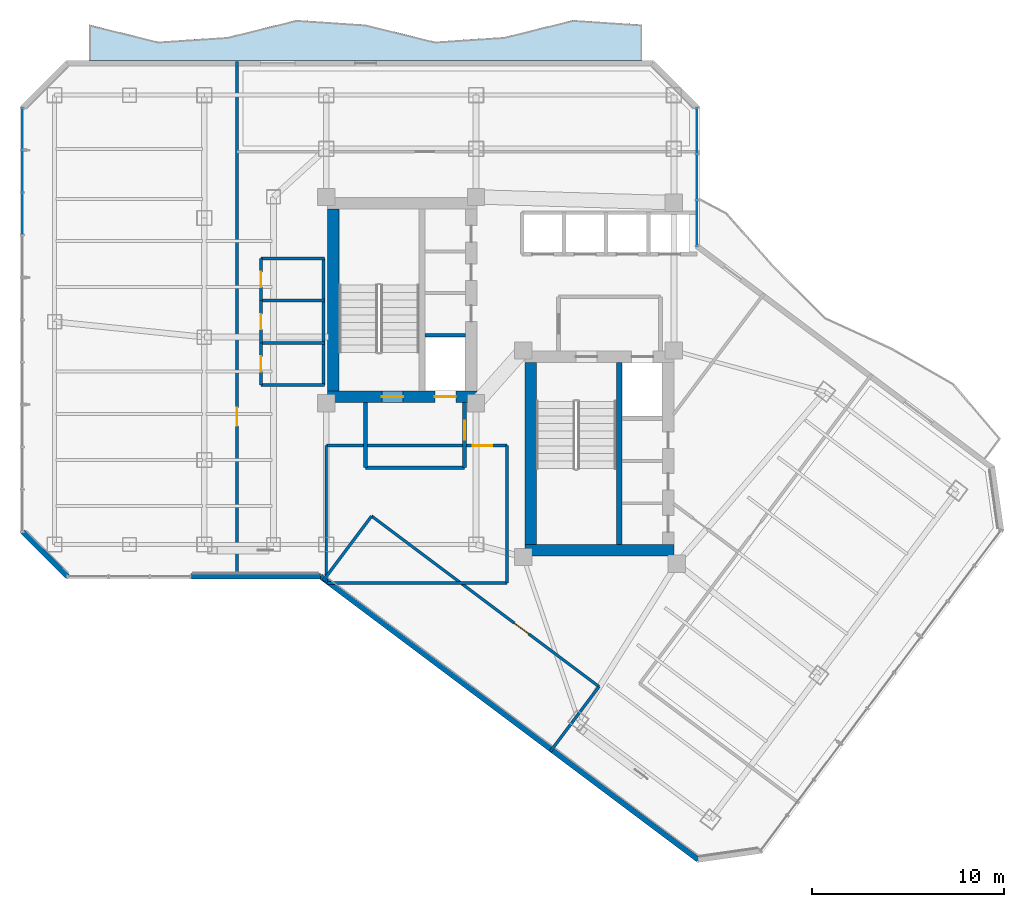
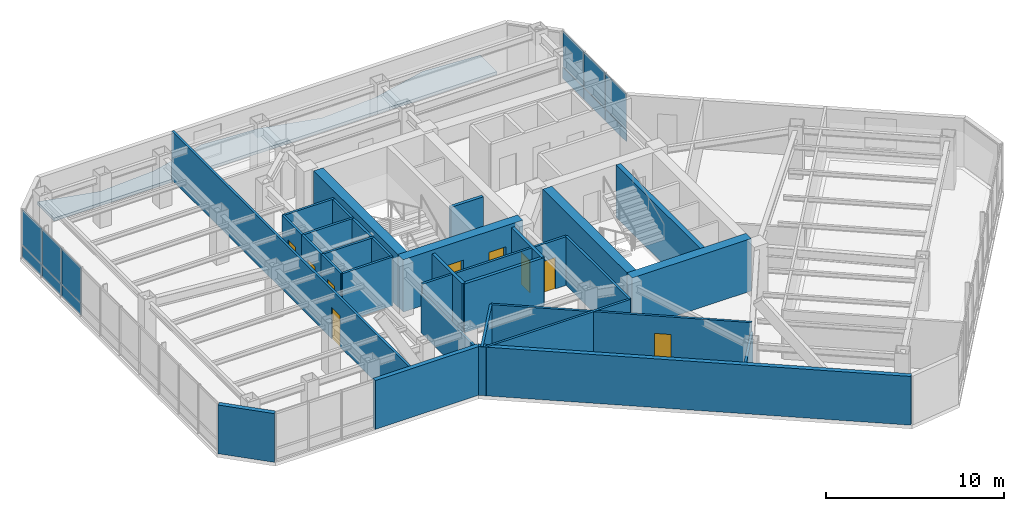
# One storey, part 22 of 28: 28 walls, 12 plates, 9 doors, 1 slab, 9 openings, 2 elements without a shape of their own.
"""IFC4 building model written with IfcOpenShell, lengths in metres."""

import ifcopenshell
import ifcopenshell.guid

model = None  # the IFC model being written
_history = None  # IfcOwnerHistory: only IFC2X3 demands one
_inside = {}  # id of a spatial element -> (the spatial element, [elements in it])
_under = {}  # id of a project, library or spatial element -> (it, [spatial elements below it])
_declared = {}  # id of a project -> (the project, [libraries it declares])
_typed = {}  # id of a type object -> (the type object, [elements of that type])
_made_of = {}  # id of a material, layer set ... -> (it, [elements and type objects made of it])


def new_model(schema):
    """Start an empty IFC model of exactly this schema.

    Asked for "IFC4X3", IfcOpenShell would pick the latest addendum, in which some entities
    have other attributes; the version numbers below select the first issue.
    IFC2X3 requires an IfcOwnerHistory on every rooted entity: one is made here for all.
    """
    global model, _history
    if schema == "IFC4X3":
        model = ifcopenshell.file(schema_version=(4, 3, 0, 0))
    else:
        model = ifcopenshell.file(schema=schema)
    _inside.clear()
    _under.clear()
    _declared.clear()
    _typed.clear()
    _made_of.clear()
    _history = None
    if model.schema == "IFC2X3":
        org = make("IfcOrganization", Name="unknown")
        user = make(
            "IfcPersonAndOrganization",
            ThePerson=make("IfcPerson", FamilyName="unknown"),
            TheOrganization=org,
        )
        app = make(
            "IfcApplication",
            ApplicationDeveloper=org,
            Version="unknown",
            ApplicationFullName="unknown",
            ApplicationIdentifier="unknown",
        )
        _history = make(
            "IfcOwnerHistory",
            OwningUser=user,
            OwningApplication=app,
            ChangeAction="ADDED",
            CreationDate=0,
        )
    return model


def make(cls, **values):
    """One entity of the class cls with the attributes given. An attribute that is None is left unset."""
    return model.create_entity(
        cls, **{name: value for name, value in values.items() if value is not None}
    )


def rooted(cls, **values):
    """An entity with a GlobalId (a new one), such as an element, a storey or a relation."""
    return make(cls, GlobalId=ifcopenshell.guid.new(), OwnerHistory=_history, **values)


def si_unit(unit_type, name, prefix=None):
    """IfcSIUnit, for example si_unit("LENGTHUNIT", "METRE", prefix="MILLI")."""
    return make("IfcSIUnit", UnitType=unit_type, Prefix=prefix, Name=name)


def assignment(units):
    """IfcUnitAssignment: the units of a project."""
    return None if units is None else make("IfcUnitAssignment", Units=units)


def point(xyz):
    """IfcCartesianPoint."""
    return None if xyz is None else make("IfcCartesianPoint", Coordinates=xyz)


def direction(xyz):
    """IfcDirection."""
    return None if xyz is None else make("IfcDirection", DirectionRatios=xyz)


def frame(location, z_axis=None, x_axis=None):
    """IfcAxis2Placement3D, a coordinate frame: its origin and axes. An axis left out is left unset."""
    return make(
        "IfcAxis2Placement3D",
        Location=point(location),
        Axis=direction(z_axis),
        RefDirection=direction(x_axis),
    )


def frame_2d(location, x_axis=None):
    """IfcAxis2Placement2D, a coordinate frame in the plane: its origin and x axis."""
    return make(
        "IfcAxis2Placement2D", Location=point(location), RefDirection=direction(x_axis)
    )


def origin():
    """The frame at (0, 0, 0) with its axes left unset."""
    return frame((0.0, 0.0, 0.0))


def origin_2d():
    """The frame at (0, 0) in the plane with its x axis left unset."""
    return frame_2d((0.0, 0.0))


def place(relative_to, where):
    """IfcLocalPlacement: puts the frame where relative to a parent placement (None: the world)."""
    return make(
        "IfcLocalPlacement", PlacementRelTo=relative_to, RelativePlacement=where
    )


def context(
    kind, dimensions, precision=None, world=None, true_north=None, identifier=None
):
    """IfcGeometricRepresentationContext, for example the 3D "Model" context."""
    return make(
        "IfcGeometricRepresentationContext",
        ContextIdentifier=identifier,
        ContextType=kind,
        CoordinateSpaceDimension=dimensions,
        Precision=precision,
        WorldCoordinateSystem=world,
        TrueNorth=true_north,
    )


def subcontext(parent, identifier, kind, view, scale=None):
    """IfcGeometricRepresentationSubContext, for example "Body" below "Model"."""
    return make(
        "IfcGeometricRepresentationSubContext",
        ContextIdentifier=identifier,
        ContextType=kind,
        ParentContext=parent,
        TargetScale=scale,
        TargetView=view,
    )


def project(units=None, contexts=None):
    """IfcProject with its units and contexts."""
    return rooted(
        "IfcProject",
        Name="project",
        RepresentationContexts=contexts,
        UnitsInContext=assignment(units),
    )


def spatial(cls, under=None, at=None, **own):
    """A site, building, storey or space (cls), placed at a placement, below another one or the project."""
    s = rooted(cls, ObjectPlacement=at, **own)
    if under is not None:
        _under.setdefault(under.id(), (under, []))[1].append(s)
    return s


def polyline(points):
    """IfcPolyline through the points."""
    return make("IfcPolyline", Points=[point(p) for p in points])


def profile(cls, at=None, kind="AREA", **sizes):
    """A parametric profile (cls). Its sizes go by their IFC names, for example OverallWidth=200.0."""
    return make(cls, ProfileType=kind, Position=at, **sizes)


def rectangle(**sizes):
    """IfcRectangleProfileDef."""
    return profile("IfcRectangleProfileDef", **sizes)


def outline(outer, holes=None, kind="AREA"):
    """IfcArbitraryClosedProfileDef: a profile drawn as a closed curve; with holes, ...WithVoids."""
    if holes is None:
        return make("IfcArbitraryClosedProfileDef", ProfileType=kind, OuterCurve=outer)
    return make(
        "IfcArbitraryProfileDefWithVoids",
        ProfileType=kind,
        OuterCurve=outer,
        InnerCurves=holes,
    )


def extrude(swept, where, along, depth):
    """IfcExtrudedAreaSolid: the profile swept, set in the frame where, extruded along a direction by depth."""
    return make(
        "IfcExtrudedAreaSolid",
        SweptArea=swept,
        Position=where,
        ExtrudedDirection=direction(along),
        Depth=depth,
    )


def shape(context_of_items, identifier, shape_type, items):
    """IfcShapeRepresentation: the items that make up one representation, for example the "Body"."""
    return make(
        "IfcShapeRepresentation",
        ContextOfItems=context_of_items,
        RepresentationIdentifier=identifier,
        RepresentationType=shape_type,
        Items=items,
    )


def material(Name=None, Category=None):
    """IfcMaterial."""
    return make("IfcMaterial", Name=Name, Category=Category)


def layer(
    of_material, thickness, ventilated=None, Name=None, Category=None, Priority=None
):
    """IfcMaterialLayer: one layer of a wall or slab, of a material (None: an air gap)."""
    return make(
        "IfcMaterialLayer",
        Material=of_material,
        LayerThickness=thickness,
        IsVentilated=ventilated,
        Name=Name,
        Category=Category,
        Priority=Priority,
    )


def layer_set(layers, Name=None):
    """IfcMaterialLayerSet."""
    return make("IfcMaterialLayerSet", MaterialLayers=layers, LayerSetName=Name)


def made_of(thing, what):
    """Note that an element or type object is made of a material, layer set ...; save() writes the relation."""
    if what is not None:
        _made_of.setdefault(what.id(), (what, []))[1].append(thing)
    return thing


def type_object(cls, material=None, **own):
    """A type object (cls), such as IfcWallType, which elements share."""
    return made_of(rooted(cls, **own), material)


def element(
    cls,
    number,
    at=None,
    inside=None,
    cuts=None,
    type_object=None,
    material=None,
    context=None,
    identifier="Body",
    shape_type=None,
    held_by="IfcProductDefinitionShape",
    body=None,
    shapes=None,
    **own,
):
    """One element of the class cls, such as IfcWall. Its Tag is "e" and its number.

    at: its placement. inside: the storey or other place that contains it. cuts: it is an
    opening in that element (IfcRelVoidsElement). A single representation is given by context,
    identifier, shape_type and body (its items); several are given by shapes. held_by: the class
    of the entity that holds the representations. save() writes the other relations.
    """
    e = rooted(cls, Tag="e%d" % number, ObjectPlacement=at, **own)
    if body is not None:
        shapes = [shape(context, identifier, shape_type, body)]
    if shapes is not None:
        e.Representation = make(held_by, Representations=shapes)
    if inside is not None:
        _inside.setdefault(inside.id(), (inside, []))[1].append(e)
    if cuts is not None:
        rooted(
            "IfcRelVoidsElement", RelatingBuildingElement=cuts, RelatedOpeningElement=e
        )
    if type_object is not None:
        _typed.setdefault(type_object.id(), (type_object, []))[1].append(e)
    return made_of(e, material)


def fill(opening, filler):
    """IfcRelFillsElement: the door or window that sits in an opening."""
    return rooted(
        "IfcRelFillsElement",
        RelatingOpeningElement=opening,
        RelatedBuildingElement=filler,
    )


def aggregate(whole, parts):
    """IfcRelAggregates: a whole, such as a stair, and the parts it consists of."""
    return rooted("IfcRelAggregates", RelatingObject=whole, RelatedObjects=parts)


def save(model, path):
    """Write the relations noted so far, then the file.

    IfcRelAggregates (storeys below a building ...), IfcRelContainedInSpatialStructure (elements
    in a storey), IfcRelDefinesByType, IfcRelAssociatesMaterial and IfcRelDeclares: one each for
    every whole, place, type object, material and project.
    """
    for whole, parts in _under.values():
        aggregate(whole, parts)
    for where, things in _inside.values():
        rooted(
            "IfcRelContainedInSpatialStructure",
            RelatedElements=things,
            RelatingStructure=where,
        )
    for kind, things in _typed.values():
        rooted("IfcRelDefinesByType", RelatedObjects=things, RelatingType=kind)
    for what, things in _made_of.values():
        rooted("IfcRelAssociatesMaterial", RelatedObjects=things, RelatingMaterial=what)
    for by, libraries in _declared.values():
        rooted("IfcRelDeclares", RelatingContext=by, RelatedDefinitions=libraries)
    model.write(path)


model = new_model("IFC4")

# Units and contexts
model_context = context("Model", 3, precision=1e-05, world=origin(), true_north=direction((0.0, 1.0)))
body_context = subcontext(model_context, "Body", "Model", "MODEL_VIEW")
ifc_project = project(units=[si_unit("LENGTHUNIT", "METRE"), si_unit("AREAUNIT", "SQUARE_METRE"), si_unit("VOLUMEUNIT", "CUBIC_METRE"), si_unit("PLANEANGLEUNIT", "RADIAN"), si_unit("MASSUNIT", "GRAM", prefix="KILO")], contexts=[model_context])

# Site, building, storey
site_placement = place(None, origin())
site = spatial("IfcSite", under=ifc_project, at=site_placement, CompositionType="ELEMENT")
building_placement = place(site_placement, origin())
building = spatial("IfcBuilding", under=site, at=building_placement, Name="Hatsunagi Terrace Concourse", CompositionType="ELEMENT")
storey_placement = place(building_placement, frame((0.0, 0.0, 170.85009765625)))
storey = spatial("IfcBuildingStorey", under=building, at=storey_placement, Name="L45", CompositionType="ELEMENT", Elevation=170.85009765625)

# Curtain wall, plates
ifc_material_1 = material(Name="Anodised Aluminium Alloy 6063-T5", Category="aluminium")
ifc_layer_1 = layer(ifc_material_1, 0.199951171875)
ifc_layer_set_1 = layer_set([ifc_layer_1], Name="OfficeZone1_CW03")
curtain_wall_type = type_object("IfcCurtainWallType", Name="OfficeZone1_CW03", PredefinedType="NOTDEFINED", material=ifc_layer_set_1)
curtain_wall_1_placement = place(storey_placement, origin())
curtain_wall_1 = element("IfcCurtainWall", 1, at=curtain_wall_1_placement, inside=storey, type_object=curtain_wall_type, Name="Unitised Curtain Wall CW-03 CW-L45-09", PredefinedType="NOTDEFINED")
ifc_material_2 = material(Name="Warm Terracotta Ceramic Spandrel Panel", Category="masonry")
ifc_layer_2 = layer(ifc_material_2, 0.031982421875)
ifc_layer_set_2 = layer_set([ifc_layer_2], Name="CurtainWallSpandrelPanel_32")
plate_type_1 = type_object("IfcPlateType", Name="CurtainWallSpandrelPanel_32", PredefinedType="SHEET", material=ifc_layer_set_2)
plate_1_placement = place(storey_placement, frame((9.739990234375, 42.4208984375, 0.02978515625), z_axis=(0.0, 0.0, 1.0), x_axis=(0.0, 1.0, 0.0)))
plate_1 = element("IfcPlate", 2, at=plate_1_placement, type_object=plate_type_1, Name="Terracotta Spandrel Panel SPN-01", PredefinedType="SHEET", context=body_context, shape_type="SweptSolid", body=[
    extrude(rectangle(XDim=2.153076171875, YDim=0.031982421875, at=origin_2d()), origin(), (0.0, 0.0, 1.0), 0.7900390625),
])
plate_2_placement = place(storey_placement, frame((9.739990234375, 44.62890625, 0.02978515625), z_axis=(0.0, 0.0, 1.0), x_axis=(0.0, 1.0, 0.0)))
plate_2 = element("IfcPlate", 3, at=plate_2_placement, type_object=plate_type_1, Name="Terracotta Spandrel Panel SPN-01", PredefinedType="SHEET", context=body_context, shape_type="SweptSolid", body=[
    extrude(rectangle(XDim=2.153076171875, YDim=0.031982421875, at=origin_2d()), origin(), (0.0, 0.0, 1.0), 0.7900390625),
])
plate_3_placement = place(storey_placement, frame((9.739990234375, 46.837890625, 0.02978515625), z_axis=(0.0, 0.0, 1.0), x_axis=(0.0, 1.0, 0.0)))
plate_3 = element("IfcPlate", 4, at=plate_3_placement, type_object=plate_type_1, Name="Terracotta Spandrel Panel SPN-01", PredefinedType="SHEET", context=body_context, shape_type="SweptSolid", body=[
    extrude(rectangle(XDim=2.153076171875, YDim=0.031982421875, at=origin_2d()), origin(), (0.0, 0.0, 1.0), 0.7900390625),
])

curtain_wall_2_placement = place(storey_placement, origin())
curtain_wall_2 = element("IfcCurtainWall", 5, at=curtain_wall_2_placement, inside=storey, type_object=curtain_wall_type, Name="Unitised Curtain Wall CW-03 CW-L45-13", PredefinedType="NOTDEFINED")
plate_4_placement = place(storey_placement, frame((44.860107421875, 46.739990234375, 0.02978515625), z_axis=(0.0, 0.0, 1.0), x_axis=(0.0, -1.0, 0.0)))
plate_4 = element("IfcPlate", 6, at=plate_4_placement, type_object=plate_type_1, Name="Terracotta Spandrel Panel SPN-01", PredefinedType="SHEET", context=body_context, shape_type="SweptSolid", body=[
    extrude(rectangle(XDim=2.34912109375, YDim=0.031982421875, at=origin_2d()), origin(), (0.0, 0.0, 1.0), 0.7900390625),
])
plate_5_placement = place(storey_placement, frame((44.860107421875, 44.3359375, 0.02978515625), z_axis=(0.0, 0.0, 1.0), x_axis=(0.0, -1.0, 0.0)))
plate_5 = element("IfcPlate", 7, at=plate_5_placement, type_object=plate_type_1, Name="Terracotta Spandrel Panel SPN-01", PredefinedType="SHEET", context=body_context, shape_type="SweptSolid", body=[
    extrude(rectangle(XDim=2.34912109375, YDim=0.031982421875, at=origin_2d()), origin(), (0.0, 0.0, 1.0), 0.7900390625),
])
plate_6_placement = place(storey_placement, frame((44.860107421875, 41.931884765625, 0.02978515625), z_axis=(0.0, 0.0, 1.0), x_axis=(0.0, -1.0, 0.0)))
plate_6 = element("IfcPlate", 8, at=plate_6_placement, type_object=plate_type_1, Name="Terracotta Spandrel Panel SPN-01", PredefinedType="SHEET", context=body_context, shape_type="SweptSolid", body=[
    extrude(rectangle(XDim=2.34912109375, YDim=0.031982421875, at=origin_2d()), origin(), (0.0, 0.0, 1.0), 0.7900390625),
])

# Plate
ifc_material_3 = material(Name="Low-E Double Insulating Glass 28mm", Category="glass")
ifc_layer_3 = layer(ifc_material_3, 0.028076171875)
ifc_layer_set_3 = layer_set([ifc_layer_3], Name="CurtainWallVisionGlass_28")
plate_type_2 = type_object("IfcPlateType", Name="CurtainWallVisionGlass_28", PredefinedType="CURTAIN_PANEL", material=ifc_layer_set_3)
plate_7_placement = place(storey_placement, frame((9.739990234375, 42.4208984375, 0.8798828125), z_axis=(0.0, 0.0, 1.0), x_axis=(0.0, 1.0, 0.0)))
plate_7 = element("IfcPlate", 9, at=plate_7_placement, type_object=plate_type_2, Name="Low-E Vision Glass Panel GLZ-01", PredefinedType="CURTAIN_PANEL", context=body_context, shape_type="SweptSolid", body=[
    extrude(rectangle(XDim=2.153076171875, YDim=0.028076171875, at=origin_2d()), origin(), (0.0, 0.0, 1.0), 2.43994140625),
])

plate_8_placement = place(storey_placement, frame((9.739990234375, 44.62890625, 0.8798828125), z_axis=(0.0, 0.0, 1.0), x_axis=(0.0, 1.0, 0.0)))
plate_8 = element("IfcPlate", 10, at=plate_8_placement, type_object=plate_type_2, Name="Low-E Vision Glass Panel GLZ-01", PredefinedType="CURTAIN_PANEL", context=body_context, shape_type="SweptSolid", body=[
    extrude(rectangle(XDim=2.153076171875, YDim=0.028076171875, at=origin_2d()), origin(), (0.0, 0.0, 1.0), 2.43994140625),
])

plate_9_placement = place(storey_placement, frame((9.739990234375, 46.837890625, 0.8798828125), z_axis=(0.0, 0.0, 1.0), x_axis=(0.0, 1.0, 0.0)))
plate_9 = element("IfcPlate", 11, at=plate_9_placement, type_object=plate_type_2, Name="Low-E Vision Glass Panel GLZ-01", PredefinedType="CURTAIN_PANEL", context=body_context, shape_type="SweptSolid", body=[
    extrude(rectangle(XDim=2.153076171875, YDim=0.028076171875, at=origin_2d()), origin(), (0.0, 0.0, 1.0), 2.43994140625),
])

aggregate(curtain_wall_1, [plate_1, plate_7, plate_2, plate_8, plate_3, plate_9])

plate_10_placement = place(storey_placement, frame((44.860107421875, 46.739990234375, 0.8798828125), z_axis=(0.0, 0.0, 1.0), x_axis=(0.0, -1.0, 0.0)))
plate_10 = element("IfcPlate", 12, at=plate_10_placement, type_object=plate_type_2, Name="Low-E Vision Glass Panel GLZ-01", PredefinedType="CURTAIN_PANEL", context=body_context, shape_type="SweptSolid", body=[
    extrude(rectangle(XDim=2.34912109375, YDim=0.028076171875, at=origin_2d()), origin(), (0.0, 0.0, 1.0), 2.43994140625),
])

plate_11_placement = place(storey_placement, frame((44.860107421875, 44.3359375, 0.8798828125), z_axis=(0.0, 0.0, 1.0), x_axis=(0.0, -1.0, 0.0)))
plate_11 = element("IfcPlate", 13, at=plate_11_placement, type_object=plate_type_2, Name="Low-E Vision Glass Panel GLZ-01", PredefinedType="CURTAIN_PANEL", context=body_context, shape_type="SweptSolid", body=[
    extrude(rectangle(XDim=2.34912109375, YDim=0.028076171875, at=origin_2d()), origin(), (0.0, 0.0, 1.0), 2.43994140625),
])

plate_12_placement = place(storey_placement, frame((44.860107421875, 41.931884765625, 0.8798828125), z_axis=(0.0, 0.0, 1.0), x_axis=(0.0, -1.0, 0.0)))
plate_12 = element("IfcPlate", 14, at=plate_12_placement, type_object=plate_type_2, Name="Low-E Vision Glass Panel GLZ-01", PredefinedType="CURTAIN_PANEL", context=body_context, shape_type="SweptSolid", body=[
    extrude(rectangle(XDim=2.34912109375, YDim=0.028076171875, at=origin_2d()), origin(), (0.0, 0.0, 1.0), 2.43994140625),
])

aggregate(curtain_wall_2, [plate_4, plate_10, plate_5, plate_11, plate_6, plate_12])

# Slab
ifc_material_4 = material(Name="Concrete Fc42", Category="concrete")
ifc_layer_4 = layer(ifc_material_4, 0.199951171875)
ifc_layer_set_4 = layer_set([ifc_layer_4], Name="EngawaBalconySlab_Fc42_200")
slab_type = type_object("IfcSlabType", Name="EngawaBalconySlab_Fc42_200", PredefinedType="FLOOR", material=ifc_layer_set_4)
slab_placement = place(storey_placement, frame((0.0, 0.0, -0.2001953125)))
element("IfcSlab", 15, at=slab_placement, inside=storey, type_object=slab_type, Name="Engawa Balcony Slab BAL-L45-BN", PredefinedType="FLOOR", context=body_context, shape_type="SweptSolid", body=[
    extrude(outline(polyline([(13.199951171875, 52.27490234375), (13.199951171875, 50.39990234375), (42.0, 50.39990234375), (42.0, 52.27490234375), (38.39990234375, 52.512939453125), (34.800048828125, 51.625), (31.199951171875, 51.386962890625), (27.60009765625, 52.27490234375), (24.0, 52.512939453125), (20.39990234375, 51.625), (16.800048828125, 51.386962890625), (13.199951171875, 52.27490234375)])), origin(), (0.0, 0.0, 1.0), 0.2001953125),
])

# Wall, openings, doors
ifc_material_5 = material(Name="Concrete Fc48", Category="concrete")
ifc_layer_5 = layer(ifc_material_5, 0.60009765625)
ifc_layer_set_5 = layer_set([ifc_layer_5], Name="CoreShearWall_Fc48_600")
wall_type_1 = type_object("IfcWallType", Name="CoreShearWall_Fc48_600", PredefinedType="SHEAR", material=ifc_layer_set_5)
wall_1_placement = place(storey_placement, frame((25.6201171875, 32.889892578125, 0.0), z_axis=(0.0, 0.0, 1.0), x_axis=(1.0, 0.0, 0.0)))
wall_1 = element("IfcWall", 16, at=wall_1_placement, inside=storey, type_object=wall_type_1, Name="Core A Shear Wall S L45", PredefinedType="SHEAR", context=body_context, shape_type="SweptSolid", body=[
    extrude(rectangle(XDim=7.77978515625, YDim=0.60009765625, at=frame_2d((3.889892578125, 0.0))), origin(), (0.0, 0.0, 1.0), 3.599853515625),
])
opening_1_placement = place(wall_1_placement, frame((2.830078125, 0.0, 0.0)))
opening_1 = element("IfcOpeningElement", 17, at=opening_1_placement, cuts=wall_1, Name="Opening DR-110S", PredefinedType="OPENING", context=body_context, shape_type="SweptSolid", body=[
    extrude(rectangle(XDim=1.10009765625, YDim=2.199951171875, at=frame_2d((0.550048828125, 1.10009765625))), frame((0.0, 0.31005859375, 0.0), z_axis=(0.0, -1.0, 0.0), x_axis=(1.0, 0.0, 0.0)), (0.0, 0.0, 1.0), 0.6201171875),
])
opening_2_placement = place(wall_1_placement, frame((5.580078125, 0.0, 0.0)))
opening_2 = element("IfcOpeningElement", 18, at=opening_2_placement, cuts=wall_1, Name="Opening LD-01", PredefinedType="OPENING", context=body_context, shape_type="SweptSolid", body=[
    extrude(rectangle(XDim=1.10009765625, YDim=2.14990234375, at=frame_2d((0.550048828125, 1.074951171875))), frame((0.0, 0.31005859375, 0.0), z_axis=(0.0, -1.0, 0.0), x_axis=(1.0, 0.0, 0.0)), (0.0, 0.0, 1.0), 0.6201171875),
])
ifc_material_6 = material(Name="Stainless steel", Category="steel")
door_type_1 = type_object("IfcDoorType", Name="LiftLandingDoor_LD01", OperationType="SLIDING_TO_LEFT", PredefinedType="USERDEFINED", material=ifc_material_6)
door_1_placement = place(opening_2_placement, origin())
door_1 = element("IfcDoor", 19, at=door_1_placement, inside=storey, type_object=door_type_1, Name="Lift landing door FF-01 L45", ObjectType="SLIDING_LANDING_DOOR", OperationType="SLIDING_TO_LEFT", OverallHeight=2.14990234375, OverallWidth=1.10009765625, PredefinedType="USERDEFINED", context=body_context, shape_type="SweptSolid", body=[
    extrude(rectangle(XDim=1.10009765625, YDim=2.14990234375, at=frame_2d((0.550048828125, 1.074951171875))), frame((0.0, 0.02490234375, 0.0), z_axis=(0.0, -1.0, 0.0), x_axis=(1.0, 0.0, 0.0)), (0.0, 0.0, 1.0), 0.050048828125),
])
fill(opening_2, door_1)
ifc_material_7 = material(Name="Painted steel", Category="steel")
door_type_2 = type_object("IfcDoorType", Name="StairFireDoor_EI60_1100", OperationType="NOTDEFINED", PredefinedType="DOOR", material=ifc_material_7)
door_2_placement = place(opening_1_placement, origin())
door_2 = element("IfcDoor", 20, at=door_2_placement, inside=storey, type_object=door_type_2, Name="Stair ST-A Exit Door L45", OperationType="SINGLE_SWING_LEFT", OverallHeight=2.199951171875, OverallWidth=1.10009765625, PredefinedType="DOOR", context=body_context, shape_type="SweptSolid", body=[
    extrude(rectangle(XDim=1.10009765625, YDim=2.199951171875, at=frame_2d((0.550048828125, 1.10009765625))), frame((0.0, 0.02490234375, 0.0), z_axis=(0.0, -1.0, 0.0), x_axis=(1.0, 0.0, 0.0)), (0.0, 0.0, 1.0), 0.050048828125),
])
fill(opening_1, door_2)

# Walls
wall_2_placement = place(storey_placement, frame((25.919921875, 33.18994140625, 0.0), z_axis=(0.0, 0.0, 1.0), x_axis=(0.0, 1.0, 0.0)))
element("IfcWall", 21, at=wall_2_placement, inside=storey, type_object=wall_type_1, Name="Core A Shear Wall W L45", PredefinedType="SHEAR", context=body_context, shape_type="SweptSolid", body=[
    extrude(rectangle(XDim=9.47998046875, YDim=0.60009765625, at=frame_2d((4.739990234375, 0.0))), origin(), (0.0, 0.0, 1.0), 3.599853515625),
])
wall_3_placement = place(storey_placement, frame((35.889892578125, 24.889892578125, 0.0), z_axis=(0.0, 0.0, 1.0), x_axis=(1.0, 0.0, 0.0)))
element("IfcWall", 22, at=wall_3_placement, inside=storey, type_object=wall_type_1, Name="Core B Shear Wall S L45", PredefinedType="SHEAR", context=body_context, shape_type="SweptSolid", body=[
    extrude(rectangle(XDim=7.760009765625, YDim=0.60009765625, at=frame_2d((3.8798828125, 0.0))), origin(), (0.0, 0.0, 1.0), 3.599853515625),
])
wall_4_placement = place(storey_placement, frame((36.18994140625, 25.18994140625, 0.0), z_axis=(0.0, 0.0, 1.0), x_axis=(0.0, 1.0, 0.0)))
element("IfcWall", 23, at=wall_4_placement, inside=storey, type_object=wall_type_1, Name="Core B Shear Wall W L45", PredefinedType="SHEAR", context=body_context, shape_type="SweptSolid", body=[
    extrude(rectangle(XDim=9.47998046875, YDim=0.60009765625, at=frame_2d((4.739990234375, 0.0))), origin(), (0.0, 0.0, 1.0), 3.599853515625),
])
ifc_material_8 = material(Name="Concrete Fc48", Category="concrete")
ifc_layer_6 = layer(ifc_material_8, 0.300048828125)
ifc_layer_set_6 = layer_set([ifc_layer_6], Name="CoreStairDivider_Fc48_300")
wall_type_2 = type_object("IfcWallType", Name="CoreStairDivider_Fc48_300", PredefinedType="SHEAR", material=ifc_layer_set_6)
wall_5_placement = place(storey_placement, frame((40.81005859375, 25.18994140625, 0.0), z_axis=(0.0, 0.0, 1.0), x_axis=(0.0, 1.0, 0.0)))
element("IfcWall", 24, at=wall_5_placement, inside=storey, type_object=wall_type_2, Name="Core B Shear Wall D L45", PredefinedType="SHEAR", context=body_context, shape_type="SweptSolid", body=[
    extrude(rectangle(XDim=9.47998046875, YDim=0.300048828125, at=frame_2d((4.739990234375, 0.0))), origin(), (0.0, 0.0, 1.0), 3.599853515625),
])
ifc_material_9 = material(Name="Acoustic mineral board", Category="gypsum")
ifc_layer_7 = layer(ifc_material_9, 0.14990234375)
ifc_layer_set_7 = layer_set([ifc_layer_7], Name="PartitionWall_EI60_150")
wall_type_3 = type_object("IfcWallType", Name="PartitionWall_EI60_150", PredefinedType="PARTITIONING", material=ifc_layer_set_7)
for number, where, z_axis, x_axis, name in (
    (25, (22.14990234375, 33.5, 0.0), (0.0, 0.0, 1.0), (1.0, 0.0, 0.0), "Interior Partition IW-L45-019"),
    (26, (22.14990234375, 40.10009765625, 0.0), (0.0, 0.0, 1.0), (1.0, 0.0, 0.0), "Interior Partition IW-L45-020"),
):
    element("IfcWall", number, at=place(storey_placement, frame(where, z_axis=z_axis, x_axis=x_axis)), inside=storey, type_object=wall_type_3, Name=name, PredefinedType="PARTITIONING", context=body_context, shape_type="SweptSolid", body=[
        extrude(rectangle(XDim=3.300048828125, YDim=0.14990234375, at=frame_2d((1.64990234375, 0.0))), origin(), (0.0, 0.0, 1.0), 3.349853515625),
    ])
wall_6_placement = place(storey_placement, frame((25.39990234375, 33.5, 0.0), z_axis=(0.0, 0.0, 1.0), x_axis=(0.0, 1.0, 0.0)))
element("IfcWall", 27, at=wall_6_placement, inside=storey, type_object=wall_type_3, Name="Interior Partition IW-L45-021", PredefinedType="PARTITIONING", context=body_context, shape_type="SweptSolid", body=[
    extrude(rectangle(XDim=6.60009765625, YDim=0.14990234375, at=frame_2d((3.300048828125, 0.0))), origin(), (0.0, 0.0, 1.0), 3.349853515625),
])
for number, where, z_axis, x_axis, name in (
    (28, (22.14990234375, 35.699951171875, 0.0), (0.0, 0.0, 1.0), (1.0, 0.0, 0.0), "Interior Partition IW-L45-022"),
    (29, (22.14990234375, 37.89990234375, 0.0), (0.0, 0.0, 1.0), (1.0, 0.0, 0.0), "Interior Partition IW-L45-023"),
):
    element("IfcWall", number, at=place(storey_placement, frame(where, z_axis=z_axis, x_axis=x_axis)), inside=storey, type_object=wall_type_3, Name=name, PredefinedType="PARTITIONING", context=body_context, shape_type="SweptSolid", body=[
        extrude(rectangle(XDim=3.300048828125, YDim=0.14990234375, at=frame_2d((1.64990234375, 0.0))), origin(), (0.0, 0.0, 1.0), 3.349853515625),
    ])

# Wall, opening, door
wall_7_placement = place(storey_placement, frame((22.14990234375, 33.5, 0.0), z_axis=(0.0, 0.0, 1.0), x_axis=(0.0, 1.0, 0.0)))
wall_7 = element("IfcWall", 30, at=wall_7_placement, inside=storey, type_object=wall_type_3, Name="Interior Partition IW-L45-024", PredefinedType="PARTITIONING", context=body_context, shape_type="SweptSolid", body=[
    extrude(rectangle(XDim=2.199951171875, YDim=0.14990234375, at=frame_2d((1.10009765625, 0.0))), origin(), (0.0, 0.0, 1.0), 3.349853515625),
])
opening_3_placement = place(wall_7_placement, frame((0.699951171875, 0.0, 0.0)))
opening_3 = element("IfcOpeningElement", 31, at=opening_3_placement, cuts=wall_7, Name="Opening DR-080", PredefinedType="OPENING", context=body_context, shape_type="SweptSolid", body=[
    extrude(rectangle(XDim=0.800048828125, YDim=2.06005859375, at=frame_2d((0.39990234375, 1.030029296875))), frame((0.0, 0.0849609375, 0.0), z_axis=(0.0, -1.0, 0.0), x_axis=(1.0, 0.0, 0.0)), (0.0, 0.0, 1.0), 0.169921875),
])
ifc_material_10 = material(Name="Hardwood timber", Category="wood")
door_type_3 = type_object("IfcDoorType", Name="BathroomDoor_800", OperationType="NOTDEFINED", PredefinedType="DOOR", material=ifc_material_10)
door_3_placement = place(opening_3_placement, origin())
door_3 = element("IfcDoor", 32, at=door_3_placement, inside=storey, type_object=door_type_3, Name="Accessible WC Door L45", OperationType="SINGLE_SWING_RIGHT", OverallHeight=2.06005859375, OverallWidth=0.800048828125, PredefinedType="DOOR", context=body_context, shape_type="SweptSolid", body=[
    extrude(rectangle(XDim=0.800048828125, YDim=2.06005859375, at=frame_2d((0.39990234375, 1.030029296875))), frame((0.0, 0.02490234375, 0.0), z_axis=(0.0, -1.0, 0.0), x_axis=(1.0, 0.0, 0.0)), (0.0, 0.0, 1.0), 0.050048828125),
])
fill(opening_3, door_3)

wall_8_placement = place(storey_placement, frame((22.14990234375, 35.699951171875, 0.0), z_axis=(0.0, 0.0, 1.0), x_axis=(0.0, 1.0, 0.0)))
wall_8 = element("IfcWall", 33, at=wall_8_placement, inside=storey, type_object=wall_type_3, Name="Interior Partition IW-L45-025", PredefinedType="PARTITIONING", context=body_context, shape_type="SweptSolid", body=[
    extrude(rectangle(XDim=2.199951171875, YDim=0.14990234375, at=frame_2d((1.10009765625, 0.0))), origin(), (0.0, 0.0, 1.0), 3.349853515625),
])
opening_4_placement = place(wall_8_placement, frame((0.699951171875, 0.0, 0.0)))
opening_4 = element("IfcOpeningElement", 34, at=opening_4_placement, cuts=wall_8, Name="Opening DR-080", PredefinedType="OPENING", context=body_context, shape_type="SweptSolid", body=[
    extrude(rectangle(XDim=0.800048828125, YDim=2.06005859375, at=frame_2d((0.39990234375, 1.030029296875))), frame((0.0, 0.0849609375, 0.0), z_axis=(0.0, -1.0, 0.0), x_axis=(1.0, 0.0, 0.0)), (0.0, 0.0, 1.0), 0.169921875),
])
door_4_placement = place(opening_4_placement, origin())
door_4 = element("IfcDoor", 35, at=door_4_placement, inside=storey, type_object=door_type_3, Name="Female Restroom Door L45", OperationType="SINGLE_SWING_RIGHT", OverallHeight=2.06005859375, OverallWidth=0.800048828125, PredefinedType="DOOR", context=body_context, shape_type="SweptSolid", body=[
    extrude(rectangle(XDim=0.800048828125, YDim=2.06005859375, at=frame_2d((0.39990234375, 1.030029296875))), frame((0.0, 0.02490234375, 0.0), z_axis=(0.0, -1.0, 0.0), x_axis=(1.0, 0.0, 0.0)), (0.0, 0.0, 1.0), 0.050048828125),
])
fill(opening_4, door_4)

wall_9_placement = place(storey_placement, frame((22.14990234375, 37.89990234375, 0.0), z_axis=(0.0, 0.0, 1.0), x_axis=(0.0, 1.0, 0.0)))
wall_9 = element("IfcWall", 36, at=wall_9_placement, inside=storey, type_object=wall_type_3, Name="Interior Partition IW-L45-026", PredefinedType="PARTITIONING", context=body_context, shape_type="SweptSolid", body=[
    extrude(rectangle(XDim=2.2001953125, YDim=0.14990234375, at=frame_2d((1.10009765625, 0.0))), origin(), (0.0, 0.0, 1.0), 3.349853515625),
])
opening_5_placement = place(wall_9_placement, frame((0.699951171875, 0.0, 0.0)))
opening_5 = element("IfcOpeningElement", 37, at=opening_5_placement, cuts=wall_9, Name="Opening DR-080", PredefinedType="OPENING", context=body_context, shape_type="SweptSolid", body=[
    extrude(rectangle(XDim=0.800048828125, YDim=2.06005859375, at=frame_2d((0.39990234375, 1.030029296875))), frame((0.0, 0.0849609375, 0.0), z_axis=(0.0, -1.0, 0.0), x_axis=(1.0, 0.0, 0.0)), (0.0, 0.0, 1.0), 0.169921875),
])
door_5_placement = place(opening_5_placement, origin())
door_5 = element("IfcDoor", 38, at=door_5_placement, inside=storey, type_object=door_type_3, Name="Male Restroom Door L45", OperationType="SINGLE_SWING_RIGHT", OverallHeight=2.06005859375, OverallWidth=0.800048828125, PredefinedType="DOOR", context=body_context, shape_type="SweptSolid", body=[
    extrude(rectangle(XDim=0.800048828125, YDim=2.06005859375, at=frame_2d((0.39990234375, 1.030029296875))), frame((0.0, 0.02490234375, 0.0), z_axis=(0.0, -1.0, 0.0), x_axis=(1.0, 0.0, 0.0)), (0.0, 0.0, 1.0), 0.050048828125),
])
fill(opening_5, door_5)

# Wall
wall_10_placement = place(storey_placement, frame((25.550048828125, 23.199951171875, 0.0), z_axis=(0.0, 0.0, 1.0), x_axis=(1.0, 0.0, 0.0)))
element("IfcWall", 39, at=wall_10_placement, inside=storey, type_object=wall_type_3, Name="Interior Partition IW-L45-027", PredefinedType="PARTITIONING", context=body_context, shape_type="SweptSolid", body=[
    extrude(rectangle(XDim=9.39990234375, YDim=0.14990234375, at=frame_2d((4.699951171875, 0.0))), origin(), (0.0, 0.0, 1.0), 3.349853515625),
])

# Wall, opening, door
wall_11_placement = place(storey_placement, frame((25.550048828125, 30.35009765625, 0.0), z_axis=(0.0, 0.0, 1.0), x_axis=(1.0, 0.0, 0.0)))
wall_11 = element("IfcWall", 40, at=wall_11_placement, inside=storey, type_object=wall_type_3, Name="Interior Partition IW-L45-028", PredefinedType="PARTITIONING", context=body_context, shape_type="SweptSolid", body=[
    extrude(rectangle(XDim=9.39990234375, YDim=0.14990234375, at=frame_2d((4.699951171875, 0.0))), origin(), (0.0, 0.0, 1.0), 3.349853515625),
])
opening_6_placement = place(wall_11_placement, frame((7.637939453125, 0.0, 0.0)))
opening_6 = element("IfcOpeningElement", 41, at=opening_6_placement, cuts=wall_11, Name="Opening DR-100S", PredefinedType="OPENING", context=body_context, shape_type="SweptSolid", body=[
    extrude(rectangle(XDim=1.0, YDim=2.14990234375, at=frame_2d((0.5, 1.074951171875))), frame((0.0, 0.0849609375, 0.0), z_axis=(0.0, -1.0, 0.0), x_axis=(1.0, 0.0, 0.0)), (0.0, 0.0, 1.0), 0.169921875),
])
ifc_material_11 = material(Name="Hardwood timber", Category="wood")
door_type_4 = type_object("IfcDoorType", Name="SuiteDoor_EI30_1000", OperationType="NOTDEFINED", PredefinedType="DOOR", material=ifc_material_11)
door_6_placement = place(opening_6_placement, origin())
door_6 = element("IfcDoor", 42, at=door_6_placement, inside=storey, type_object=door_type_4, Name="Design Studio L45-RECL1 Door", OperationType="SINGLE_SWING_RIGHT", OverallHeight=2.14990234375, OverallWidth=1.0, PredefinedType="DOOR", context=body_context, shape_type="SweptSolid", body=[
    extrude(rectangle(XDim=1.0, YDim=2.14990234375, at=frame_2d((0.5, 1.074951171875))), frame((0.0, 0.02490234375, 0.0), z_axis=(0.0, -1.0, 0.0), x_axis=(1.0, 0.0, 0.0)), (0.0, 0.0, 1.0), 0.050048828125),
])
fill(opening_6, door_6)

# Walls
wall_12_placement = place(storey_placement, frame((25.550048828125, 23.199951171875, 0.0), z_axis=(0.0, 0.0, 1.0), x_axis=(0.0, 1.0, 0.0)))
element("IfcWall", 43, at=wall_12_placement, inside=storey, type_object=wall_type_3, Name="Interior Partition IW-L45-029", PredefinedType="PARTITIONING", context=body_context, shape_type="SweptSolid", body=[
    extrude(rectangle(XDim=7.150146484375, YDim=0.14990234375, at=frame_2d((3.5751953125, 0.0))), origin(), (0.0, 0.0, 1.0), 2.69482421875),
])
wall_13_placement = place(storey_placement, frame((34.949951171875, 23.199951171875, 0.0), z_axis=(0.0, 0.0, 1.0), x_axis=(0.0, 1.0, 0.0)))
element("IfcWall", 44, at=wall_13_placement, inside=storey, type_object=wall_type_3, Name="Interior Partition IW-L45-030", PredefinedType="PARTITIONING", context=body_context, shape_type="SweptSolid", body=[
    extrude(rectangle(XDim=7.150146484375, YDim=0.14990234375, at=frame_2d((3.5751953125, 0.0))), origin(), (0.0, 0.0, 1.0), 3.349853515625),
])

# Wall, opening, door
wall_14_placement = place(storey_placement, frame((20.89990234375, 23.43994140625, 0.0), z_axis=(0.0, 0.0, 1.0), x_axis=(0.0, 1.0, 0.0)))
wall_14 = element("IfcWall", 45, at=wall_14_placement, inside=storey, type_object=wall_type_3, Name="Interior Partition IW-L45-031", PredefinedType="PARTITIONING", context=body_context, shape_type="SweptSolid", body=[
    extrude(rectangle(XDim=26.920166015625, YDim=0.14990234375, at=frame_2d((13.4599609375, 0.0))), origin(), (0.0, 0.0, 1.0), 3.349853515625),
])
opening_7_placement = place(wall_14_placement, frame((7.943115234375, 0.0, 0.0)))
opening_7 = element("IfcOpeningElement", 46, at=opening_7_placement, cuts=wall_14, Name="Opening DR-095", PredefinedType="OPENING", context=body_context, shape_type="SweptSolid", body=[
    extrude(rectangle(XDim=0.949951171875, YDim=2.14990234375, at=frame_2d((0.47509765625, 1.074951171875))), frame((0.0, 0.0849609375, 0.0), z_axis=(0.0, -1.0, 0.0), x_axis=(1.0, 0.0, 0.0)), (0.0, 0.0, 1.0), 0.169921875),
])
ifc_material_12 = material(Name="Hardwood timber", Category="wood")
door_type_5 = type_object("IfcDoorType", Name="InteriorSuiteDoor_EI30_950", OperationType="NOTDEFINED", PredefinedType="DOOR", material=ifc_material_12)
door_7_placement = place(opening_7_placement, origin())
door_7 = element("IfcDoor", 47, at=door_7_placement, inside=storey, type_object=door_type_5, Name="Open Plan Office L45-OW1 Door", OperationType="SINGLE_SWING_RIGHT", OverallHeight=2.14990234375, OverallWidth=0.949951171875, PredefinedType="DOOR", context=body_context, shape_type="SweptSolid", body=[
    extrude(rectangle(XDim=0.949951171875, YDim=2.14990234375, at=frame_2d((0.47509765625, 1.074951171875))), frame((0.0, 0.02490234375, 0.0), z_axis=(0.0, -1.0, 0.0), x_axis=(1.0, 0.0, 0.0)), (0.0, 0.0, 1.0), 0.050048828125),
])
fill(opening_7, door_7)

wall_15_placement = place(storey_placement, frame((27.909912109375, 26.679931640625, 0.0), z_axis=(0.0, 0.0, 1.0), x_axis=(0.800005938517, -0.599992081896, 0.0)))
wall_15 = element("IfcWall", 48, at=wall_15_placement, inside=storey, type_object=wall_type_3, Name="Interior Partition IW-L45-037", PredefinedType="PARTITIONING", context=body_context, shape_type="SweptSolid", body=[
    extrude(rectangle(XDim=14.800048828125, YDim=0.14990234375, at=frame_2d((7.39990234375, 0.0))), origin(), (0.0, 0.0, 1.0), 3.349853515625),
])
opening_8_placement = place(wall_15_placement, frame((9.281005859375, 0.0, 0.0)))
opening_8 = element("IfcOpeningElement", 49, at=opening_8_placement, cuts=wall_15, Name="Opening DR-095", PredefinedType="OPENING", context=body_context, shape_type="SweptSolid", body=[
    extrude(rectangle(XDim=0.949951171875, YDim=2.14990234375, at=frame_2d((0.47509765625, 1.074951171875))), frame((0.0, 0.0849609375, 0.0), z_axis=(0.0, -1.0, 0.0), x_axis=(1.0, 0.0, 0.0)), (0.0, 0.0, 1.0), 0.169921875),
])
door_8_placement = place(opening_8_placement, origin())
door_8 = element("IfcDoor", 50, at=door_8_placement, inside=storey, type_object=door_type_5, Name="Research Focus Suite L45-OSWS Door", OperationType="SINGLE_SWING_RIGHT", OverallHeight=2.14990234375, OverallWidth=0.949951171875, PredefinedType="DOOR", context=body_context, shape_type="SweptSolid", body=[
    extrude(rectangle(XDim=0.949951171875, YDim=2.14990234375, at=frame_2d((0.47509765625, 1.074951171875))), frame((0.0, 0.02490234375, 0.0), z_axis=(0.0, -1.0, 0.0), x_axis=(1.0, 0.0, 0.0)), (0.0, 0.0, 1.0), 0.050048828125),
])
fill(opening_8, door_8)

# Walls
wall_16_placement = place(storey_placement, frame((25.384033203125, 23.31201171875, 0.0), z_axis=(0.0, 0.0, 1.0), x_axis=(0.599990721155, 0.80000695905, 0.0)))
element("IfcWall", 51, at=wall_16_placement, inside=storey, type_object=wall_type_3, Name="Interior Partition IW-L45-038", PredefinedType="PARTITIONING", context=body_context, shape_type="SweptSolid", body=[
    extrude(rectangle(XDim=4.2099609375, YDim=0.14990234375, at=frame_2d((2.10498046875, 0.0))), origin(), (0.0, 0.0, 1.0), 3.349853515625),
])
wall_17_placement = place(storey_placement, frame((37.22412109375, 14.431884765625, 0.0), z_axis=(0.0, 0.0, 1.0), x_axis=(0.599962885857, 0.800027834262, 0.0)))
element("IfcWall", 52, at=wall_17_placement, inside=storey, type_object=wall_type_3, Name="Interior Partition IW-L45-039", PredefinedType="PARTITIONING", context=body_context, shape_type="SweptSolid", body=[
    extrude(rectangle(XDim=4.2099609375, YDim=0.14990234375, at=frame_2d((2.10498046875, 0.0))), origin(), (0.0, 0.0, 1.0), 2.69482421875),
])
ifc_material_13 = material(Name="Acoustic mineral board", Category="gypsum")
ifc_layer_8 = layer(ifc_material_13, 0.199951171875)
ifc_layer_set_8 = layer_set([ifc_layer_8], Name="ShaftWall_EI120_200")
wall_type_4 = type_object("IfcWallType", Name="ShaftWall_EI120_200", PredefinedType="STANDARD", material=ifc_layer_set_8)
wall_18_placement = place(storey_placement, frame((30.699951171875, 36.10009765625, 0.0), z_axis=(0.0, 0.0, 1.0), x_axis=(1.0, 0.0, 0.0)))
element("IfcWall", 53, at=wall_18_placement, inside=storey, type_object=wall_type_4, Name="Interior Partition IW-L45-001", PredefinedType="STANDARD", context=body_context, shape_type="SweptSolid", body=[
    extrude(rectangle(XDim=2.10009765625, YDim=0.199951171875, at=frame_2d((1.050048828125, 0.0))), origin(), (0.0, 0.0, 1.0), 3.349853515625),
])
wall_19_placement = place(storey_placement, frame((27.60009765625, 29.199951171875, 0.0), z_axis=(0.0, 0.0, 1.0), x_axis=(1.0, 0.0, 0.0)))
element("IfcWall", 54, at=wall_19_placement, inside=storey, type_object=wall_type_4, Name="Interior Partition IW-L45-007", PredefinedType="STANDARD", context=body_context, shape_type="SweptSolid", body=[
    extrude(rectangle(XDim=5.14990234375, YDim=0.199951171875, at=frame_2d((2.574951171875, 0.0))), origin(), (0.0, 0.0, 1.0), 3.349853515625),
])
wall_20_placement = place(storey_placement, frame((27.60009765625, 29.199951171875, 0.0), z_axis=(0.0, 0.0, 1.0), x_axis=(0.0, 1.0, 0.0)))
element("IfcWall", 55, at=wall_20_placement, inside=storey, type_object=wall_type_4, Name="Interior Partition IW-L45-008", PredefinedType="STANDARD", context=body_context, shape_type="SweptSolid", body=[
    extrude(rectangle(XDim=3.39013671875, YDim=0.199951171875, at=frame_2d((1.695068359375, 0.0))), origin(), (0.0, 0.0, 1.0), 3.349853515625),
])

# Wall, opening, door
wall_21_placement = place(storey_placement, frame((32.75, 29.199951171875, 0.0), z_axis=(0.0, 0.0, 1.0), x_axis=(0.0, 1.0, 0.0)))
wall_21 = element("IfcWall", 56, at=wall_21_placement, inside=storey, type_object=wall_type_4, Name="Interior Partition IW-L45-009", PredefinedType="STANDARD", context=body_context, shape_type="SweptSolid", body=[
    extrude(rectangle(XDim=3.39013671875, YDim=0.199951171875, at=frame_2d((1.695068359375, 0.0))), origin(), (0.0, 0.0, 1.0), 3.349853515625),
])
opening_9_placement = place(wall_21_placement, frame((1.449951171875, 0.0, 0.0)))
opening_9 = element("IfcOpeningElement", 57, at=opening_9_placement, cuts=wall_21, Name="Opening DR-100F", PredefinedType="OPENING", context=body_context, shape_type="SweptSolid", body=[
    extrude(rectangle(XDim=1.0, YDim=2.199951171875, at=frame_2d((0.5, 1.10009765625))), frame((0.0, 0.10986328125, 0.0), z_axis=(0.0, -1.0, 0.0), x_axis=(1.0, 0.0, 0.0)), (0.0, 0.0, 1.0), 0.219970703125),
])
ifc_material_14 = material(Name="Painted steel", Category="steel")
door_type_6 = type_object("IfcDoorType", Name="FireDoor_EI60_1000", OperationType="NOTDEFINED", PredefinedType="DOOR", material=ifc_material_14)
door_9_placement = place(opening_9_placement, origin())
door_9 = element("IfcDoor", 58, at=door_9_placement, inside=storey, type_object=door_type_6, Name="Firefighting Lobby A Door L45", OperationType="SINGLE_SWING_RIGHT", OverallHeight=2.199951171875, OverallWidth=1.0, PredefinedType="DOOR", context=body_context, shape_type="SweptSolid", body=[
    extrude(rectangle(XDim=1.0, YDim=2.199951171875, at=frame_2d((0.5, 1.10009765625))), frame((0.0, 0.02490234375, 0.0), z_axis=(0.0, -1.0, 0.0), x_axis=(1.0, 0.0, 0.0)), (0.0, 0.0, 1.0), 0.050048828125),
])
fill(opening_9, door_9)

# Walls
ifc_material_15 = material(Name="Autoclaved Lightweight Concrete and Terracotta Cladding", Category="masonry")
ifc_layer_9 = layer(ifc_material_15, 0.280029296875)
ifc_layer_set_9 = layer_set([ifc_layer_9], Name="TerracottaSpandrelWall_280")
wall_type_5 = type_object("IfcWallType", Name="TerracottaSpandrelWall_280", PredefinedType="STANDARD", material=ifc_layer_set_9)
wall_22_placement = place(storey_placement, frame((44.91796875, 8.787109375, 0.0), z_axis=(0.0, 0.0, 1.0), x_axis=(-0.800004765927, 0.599993645378, 0.0)))
element("IfcWall", 59, at=wall_22_placement, inside=storey, type_object=wall_type_5, Name="Exterior Spandrel Wall EW-L45-05", PredefinedType="STANDARD", context=body_context, shape_type="SweptSolid", body=[
    extrude(rectangle(XDim=24.58837890625, YDim=0.280029296875, at=frame_2d((12.294189453125, 0.0))), origin(), (0.0, 0.0, 1.0), 3.349853515625),
])
wall_23_placement = place(storey_placement, frame((25.2470703125, 23.5400390625, 0.0), z_axis=(0.0, 0.0, 1.0), x_axis=(-1.0, 0.0, 0.0)))
element("IfcWall", 60, at=wall_23_placement, inside=storey, type_object=wall_type_5, Name="Exterior Spandrel Wall EW-L45-06", PredefinedType="STANDARD", context=body_context, shape_type="SweptSolid", body=[
    extrude(rectangle(XDim=6.7470703125, YDim=0.280029296875, at=frame_2d((3.37353515625, 0.0))), origin(), (0.0, 0.0, 1.0), 3.349853515625),
])
wall_24_placement = place(storey_placement, frame((12.05810546875, 23.5400390625, 0.0), z_axis=(0.0, 0.0, 1.0), x_axis=(-0.707144017911, 0.707069542501, 0.0)))
element("IfcWall", 61, at=wall_24_placement, inside=storey, type_object=wall_type_5, Name="Exterior Spandrel Wall EW-L45-08", PredefinedType="STANDARD", context=body_context, shape_type="SweptSolid", body=[
    extrude(rectangle(XDim=3.278076171875, YDim=0.280029296875, at=frame_2d((1.63916015625, 0.0))), origin(), (0.0, 0.0, 1.0), 3.349853515625),
])

save(model, "model.ifc")
